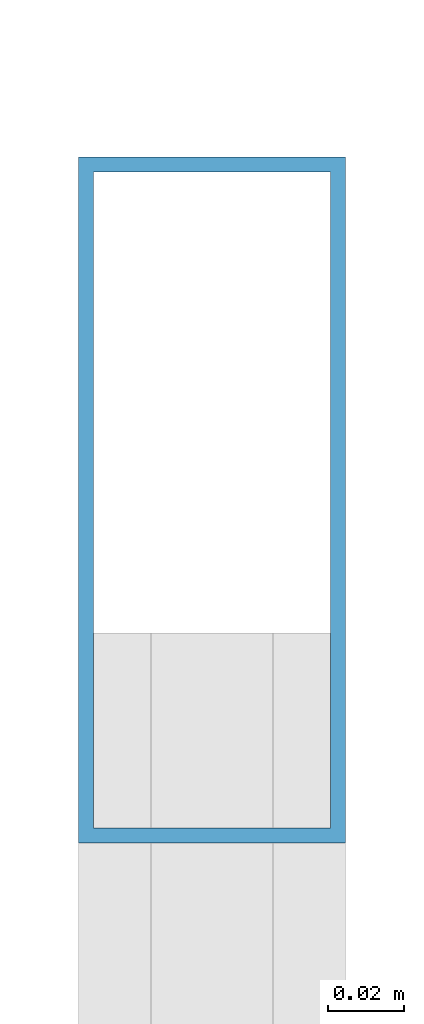
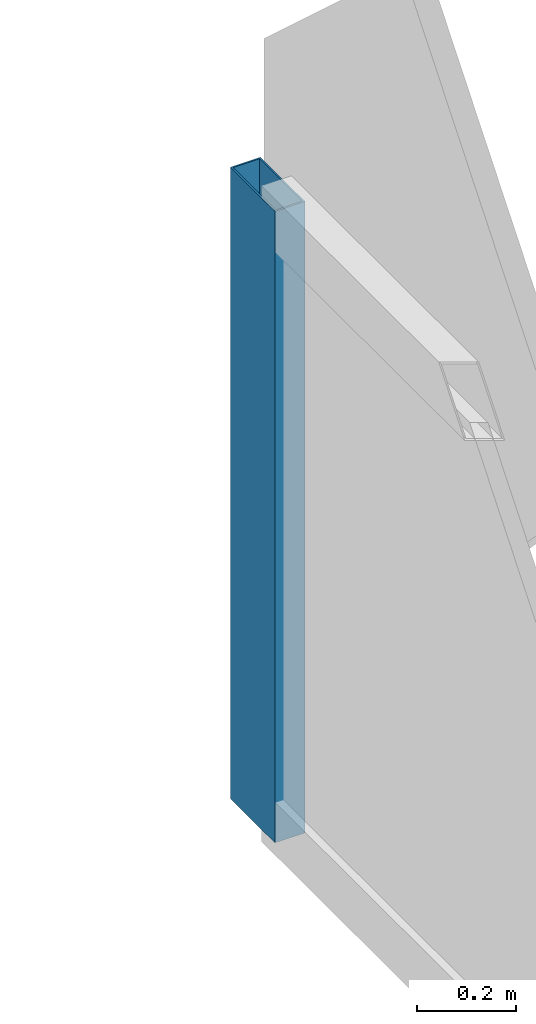
# One storey, part 35 of 65: 1 member, 1 element without a shape of its own.
"""IFC4 building model written with IfcOpenShell, lengths in metres."""

from ifc_helpers import new_model, si_unit, direction, frame, origin, origin_2d, place, context, subcontext, project, spatial, hollow_rectangle, extrude, material, layer, layer_set, material_profile, profile_set, type_object, element, aggregate, save


model = new_model("IFC4")

# Units and contexts
model_context = context("Model", 3, precision=1e-05, world=origin(), true_north=direction((0.0, 1.0)))
body_context = subcontext(model_context, "Body", "Model", "MODEL_VIEW")
ifc_project = project(units=[si_unit("LENGTHUNIT", "METRE"), si_unit("AREAUNIT", "SQUARE_METRE"), si_unit("VOLUMEUNIT", "CUBIC_METRE"), si_unit("PLANEANGLEUNIT", "RADIAN"), si_unit("MASSUNIT", "GRAM", prefix="KILO")], contexts=[model_context])

# Site, building, storey
site_placement = place(None, origin())
site = spatial("IfcSite", under=ifc_project, at=site_placement, CompositionType="ELEMENT")
building_placement = place(site_placement, origin())
building = spatial("IfcBuilding", under=site, at=building_placement, Name="Quillay Park Conservatory", CompositionType="ELEMENT")
storey_placement = place(building_placement, frame((0.0, 0.0, 14.10009765625)))
storey = spatial("IfcBuildingStorey", under=building, at=storey_placement, Name="L03", CompositionType="ELEMENT", Elevation=14.10009765625)

# Curtain wall, member
ifc_material_1 = material(Name="Thermally Broken Anodised Aluminium 6063-T6", Category="aluminium")
ifc_layer = layer(ifc_material_1, 0.219970703125)
ifc_layer_set = layer_set([ifc_layer], Name="UNITISED CURTAIN WALL CONSERVATORY (Thermally Broken Anodised Aluminium 6063-T6)")
curtain_wall_type = type_object("IfcCurtainWallType", Name="UNITISED CURTAIN WALL CONSERVATORY", PredefinedType="USERDEFINED", material=ifc_layer_set)
curtain_wall_placement = place(storey_placement, origin())
curtain_wall = element("IfcCurtainWall", 1, at=curtain_wall_placement, inside=storey, type_object=curtain_wall_type, Name="L03 Unitised Curtain Wall 186", ObjectType="UNITISED CURTAIN WALL", PredefinedType="USERDEFINED")
ifc_material_2 = material(Name="Thermally Broken Anodised Aluminium 6063-T6", Category="aluminium")
ifc_material_profile = material_profile(ifc_material_2, hollow_rectangle(XDim=0.070068359375, YDim=0.179931640625, WallThickness=0.00390625, at=origin_2d()), Name="AL70x180x4")
ifc_profile_set = profile_set([ifc_material_profile], Name="Thermally Broken Anodised Aluminium 6063-T6")
member_type = type_object("IfcMemberType", Name="CURTAIN WALL MULLION 70 X180", PredefinedType="MULLION", material=ifc_profile_set)
member_placement = place(storey_placement, frame((114.85009765625, 113.159912109375, -3.2001953125), z_axis=(0.0, 0.0, 1.0), x_axis=(1.0, 0.0, 0.0)))
member = element("IfcMember", 2, at=member_placement, type_object=member_type, Name="CW-C1 mullion 1", PredefinedType="MULLION", context=body_context, shape_type="SweptSolid", body=[
    extrude(hollow_rectangle(XDim=0.070068359375, YDim=0.179931640625, WallThickness=0.00390625, at=origin_2d()), origin(), (0.0, 0.0, 1.0), 1.556396484375),
])
aggregate(curtain_wall, [member])

save(model, "model.ifc")
